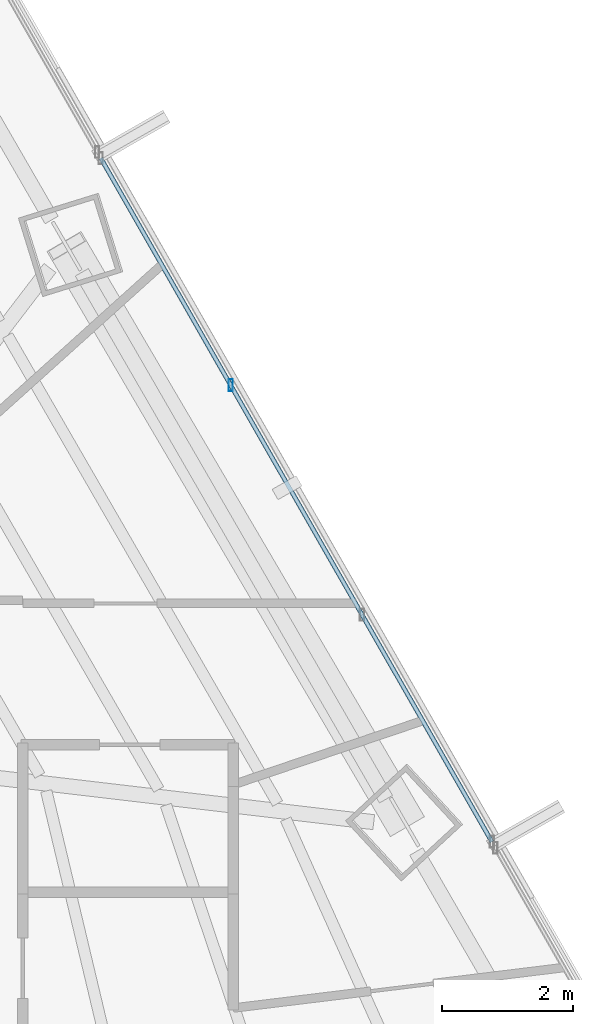
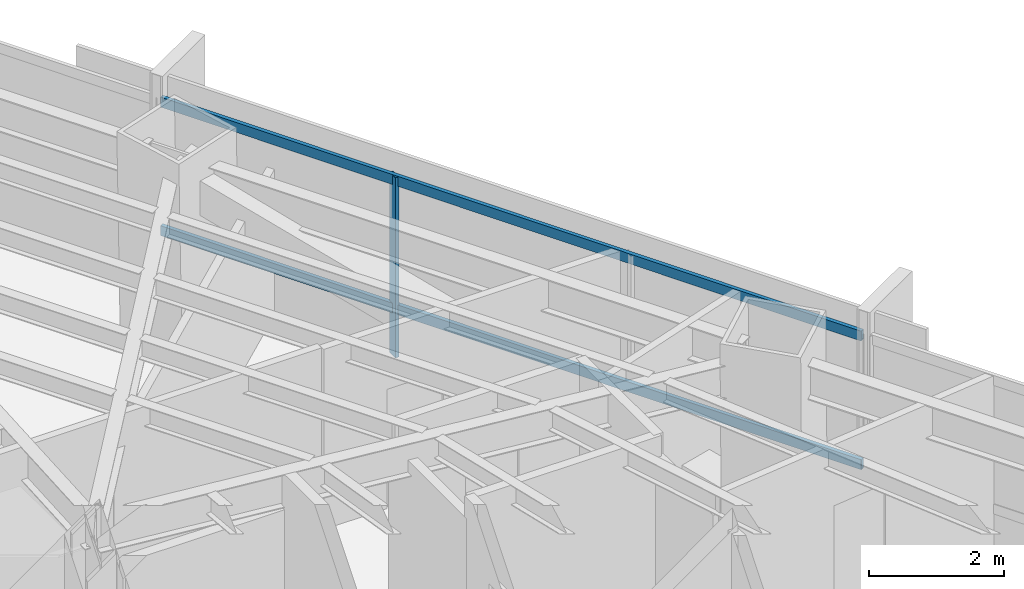
# One storey, part 23 of 39: 3 members, 1 element without a shape of its own.
"""IFC4 building model written with IfcOpenShell, lengths in metres."""

from ifc_helpers import new_model, si_unit, direction, frame, origin, origin_2d, place, context, subcontext, project, spatial, hollow_rectangle, extrude, source, transform, mapped, material, material_profile, profile_set, type_object, type_shapes, element, aggregate, save


model = new_model("IFC4")

# Units and contexts
model_context = context("Model", 3, precision=1e-05, world=origin(), true_north=direction((0.0, 1.0)))
body_context = subcontext(model_context, "Body", "Model", "MODEL_VIEW")
ifc_project = project(units=[si_unit("LENGTHUNIT", "METRE"), si_unit("AREAUNIT", "SQUARE_METRE"), si_unit("VOLUMEUNIT", "CUBIC_METRE"), si_unit("PLANEANGLEUNIT", "RADIAN"), si_unit("MASSUNIT", "GRAM", prefix="KILO")], contexts=[model_context])

# Site, building, storey
site_placement = place(None, origin())
site = spatial("IfcSite", under=ifc_project, at=site_placement, CompositionType="ELEMENT")
building_placement = place(site_placement, origin())
building = spatial("IfcBuilding", under=site, at=building_placement, Name="Caelisora Broadcast Tower", CompositionType="ELEMENT")
storey_placement = place(building_placement, frame((0.0, 0.0, 71.39990234375)))
storey = spatial("IfcBuildingStorey", under=building, at=storey_placement, Name="L18", CompositionType="ELEMENT", Elevation=71.39990234375)

# Curtain wall, members
ifc_material_1 = material(Name="Unitised Aluminium Insulated Shadow-Box Spandrel Curtain Wall", Category="aluminium")
curtain_wall_type = type_object("IfcCurtainWallType", Name="CW-SP1", PredefinedType="NOTDEFINED", material=ifc_material_1)
curtain_wall_placement = place(storey_placement, origin())
curtain_wall = element("IfcCurtainWall", 1, at=curtain_wall_placement, inside=storey, type_object=curtain_wall_type, Name="L18 curtain wall CW-SP1", PredefinedType="NOTDEFINED")
ifc_material_2 = material(Name="Aluminium 6063-T6 Anodised Terracotta Bronze", Category="aluminium")
ifc_material_profile_1 = material_profile(ifc_material_2, hollow_rectangle(XDim=0.06494140625, YDim=0.179931640625, WallThickness=0.00341796875, at=origin_2d()), Name="Aluminium 6063-T6 Anodised Terracotta Bronze")
ifc_profile_set_1 = profile_set([ifc_material_profile_1], Name="Aluminium 6063-T6 Anodised Terracotta Bronze")
member_type_1 = type_object("IfcMemberType", Name="CWM-02", PredefinedType="MULLION", material=ifc_profile_set_1)
shared_shape_1 = source(origin(), body_context, "Body", "SweptSolid", [
    extrude(hollow_rectangle(XDim=0.06494140625, YDim=0.179931640625, WallThickness=0.00341796875, at=origin_2d()), origin(), (0.0, 0.0, 1.0), 3.25),
])
type_shapes(member_type_1, [shared_shape_1])
member_1_placement = place(storey_placement, frame((53.76416015625, 35.423095703125, 0.0), z_axis=(0.0, 0.0, 1.0), x_axis=(1.0, 0.0, 0.0)))
member_1 = element("IfcMember", 2, at=member_1_placement, type_object=member_type_1, Name="L18-CW-B02 mullion #1", PredefinedType="MULLION", context=body_context, shape_type="MappedRepresentation", body=[
    mapped(shared_shape_1, transform((0.0, 0.0, 0.0), scale=1.0)),
])
ifc_material_profile_2 = material_profile(ifc_material_2, hollow_rectangle(XDim=0.06494140625, YDim=0.179931640625, WallThickness=0.00341796875, at=origin_2d()), Name="Aluminium 6063-T6 Anodised Terracotta Bronze")
ifc_profile_set_2 = profile_set([ifc_material_profile_2], Name="Aluminium 6063-T6 Anodised Terracotta Bronze")
member_type_2 = type_object("IfcMemberType", Name="CWT-01", PredefinedType="USERDEFINED", material=ifc_profile_set_2)
shared_shape_2 = source(origin(), body_context, "Body", "SweptSolid", [
    extrude(hollow_rectangle(XDim=0.06494140625, YDim=0.179931640625, WallThickness=0.00341796875, at=origin_2d()), origin(), (0.0, 0.0, 1.0), 11.98828125),
])
type_shapes(member_type_2, [shared_shape_2])
member_2_placement = place(storey_placement, frame((51.787841796875, 38.877197265625, 0.85009765625), z_axis=(0.496601624374, -0.867978586527, 0.0), x_axis=(0.867978586527, 0.496601624374, 0.0)))
member_2 = element("IfcMember", 3, at=member_2_placement, type_object=member_type_2, Name="L18-CW-B02 transom #1", ObjectType="TRANSOM", PredefinedType="USERDEFINED", context=body_context, shape_type="MappedRepresentation", body=[
    mapped(shared_shape_2, transform((0.0, 0.0, 0.0), scale=1.0)),
])
member_3_placement = place(storey_placement, frame((51.787841796875, 38.877197265625, 3.170166015625), z_axis=(0.496601624374, -0.867978586527, 0.0), x_axis=(0.867978586527, 0.496601624374, 0.0)))
member_3 = element("IfcMember", 4, at=member_3_placement, type_object=member_type_2, Name="L18-CW-B02 transom #2", ObjectType="TRANSOM", PredefinedType="USERDEFINED", context=body_context, shape_type="MappedRepresentation", body=[
    mapped(shared_shape_2, transform((0.0, 0.0, 0.0), scale=1.0)),
])
aggregate(curtain_wall, [member_1, member_2, member_3])

save(model, "model.ifc")
